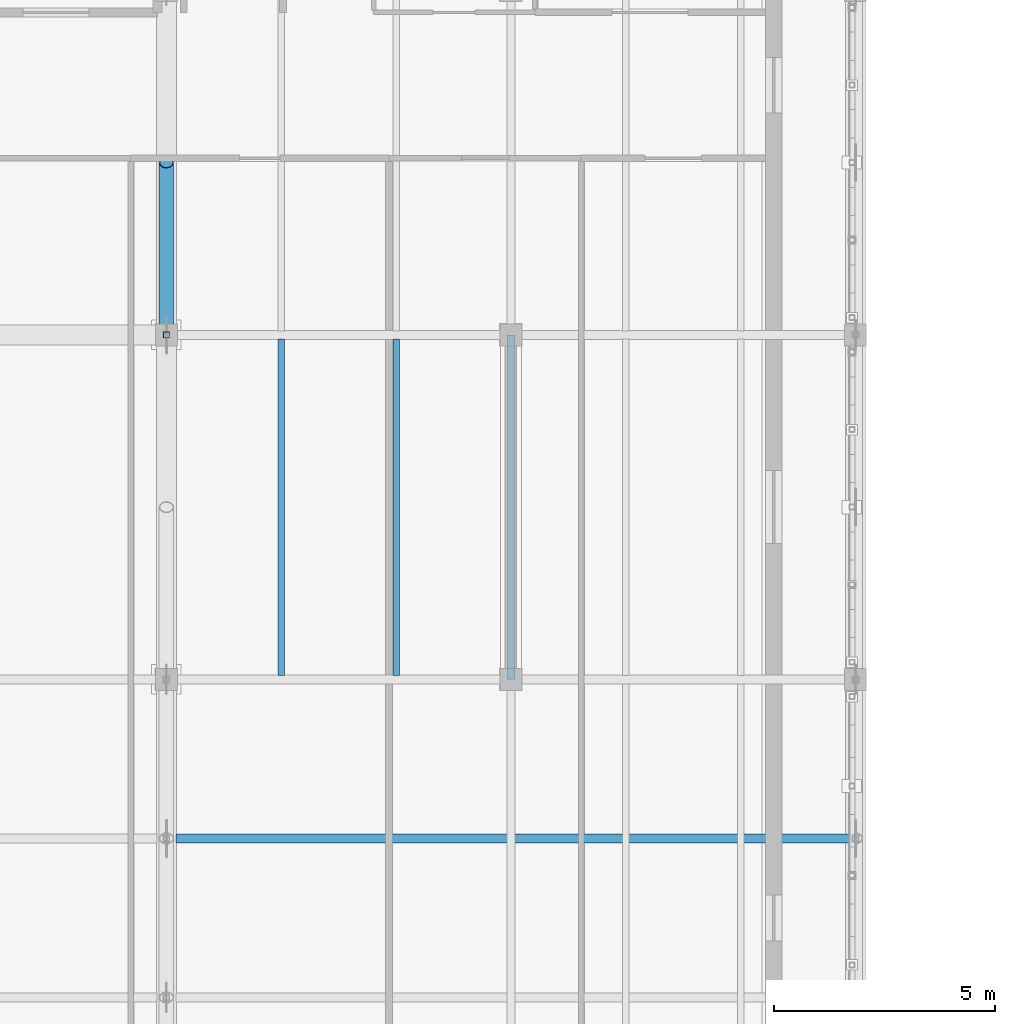
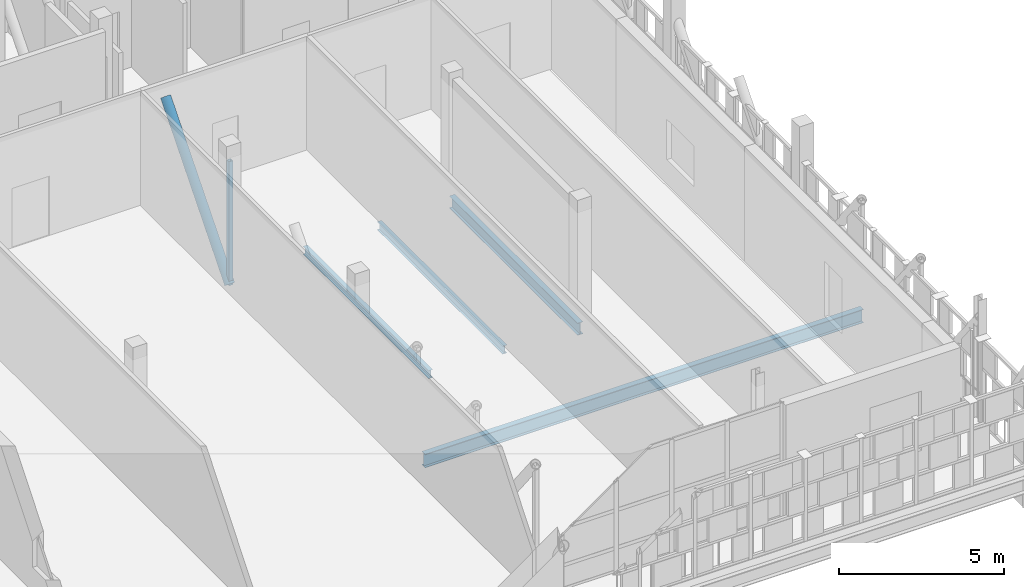
# One storey, part 28 of 89: 4 beams, 2 members.
"""IFC4 building model written with IfcOpenShell, lengths in metres."""

from ifc_helpers import new_model, si_unit, direction, frame, origin, origin_2d, place, context, subcontext, project, spatial, hollow_rectangle, hollow_circle, i_section, extrude, material, material_profile, profile_set, type_object, element, save


model = new_model("IFC4")

# Units and contexts
model_context = context("Model", 3, precision=1e-05, world=origin(), true_north=direction((0.0, 1.0)))
body_context = subcontext(model_context, "Body", "Model", "MODEL_VIEW")
ifc_project = project(units=[si_unit("LENGTHUNIT", "METRE"), si_unit("AREAUNIT", "SQUARE_METRE"), si_unit("VOLUMEUNIT", "CUBIC_METRE"), si_unit("PLANEANGLEUNIT", "RADIAN"), si_unit("MASSUNIT", "GRAM", prefix="KILO")], contexts=[model_context])

# Site, building, storey
site_placement = place(None, origin())
site = spatial("IfcSite", under=ifc_project, at=site_placement, CompositionType="ELEMENT")
building_placement = place(site_placement, origin())
building = spatial("IfcBuilding", under=site, at=building_placement, Name="Celorna Specialist Clinic", CompositionType="ELEMENT")
storey_placement = place(building_placement, frame((0.0, 0.0, 14.10009765625)))
storey = spatial("IfcBuildingStorey", under=building, at=storey_placement, Name="L03", CompositionType="ELEMENT", Elevation=14.10009765625)

# Beams
ifc_material = material(Name="Steel S355", Category="steel")
ifc_material_profile_1 = material_profile(ifc_material, i_section(OverallWidth=0.199951171875, OverallDepth=0.5, WebThickness=0.01025390625, FlangeThickness=0.01611328125, at=origin_2d()), Name="IPE 500")
ifc_profile_set_1 = profile_set([ifc_material_profile_1], Name="Steel S355")
beam_type_1 = type_object("IfcBeamType", Name="BM-08", PredefinedType="BEAM", material=ifc_profile_set_1)
beam_1_placement = place(storey_placement, frame((70.4150390625, 15.89990234375, -0.510009765625), z_axis=(1.0, 0.0, 0.0), x_axis=(0.0, 1.0, 0.0)))
element("IfcBeam", 1, at=beam_1_placement, inside=storey, type_object=beam_type_1, Name="Cantilever floor girder BM-08 #25", PredefinedType="BEAM", context=body_context, shape_type="SweptSolid", body=[
    extrude(i_section(OverallWidth=0.199951171875, OverallDepth=0.5, WebThickness=0.01025390625, FlangeThickness=0.01611328125, at=origin_2d()), origin(), (0.0, 0.0, 1.0), 15.385009765625),
])
ifc_material_profile_2 = material_profile(ifc_material, i_section(OverallWidth=0.18994140625, OverallDepth=0.449951171875, WebThickness=0.009521484375, FlangeThickness=0.0146484375, at=origin_2d()), Name="IPE 450")
ifc_profile_set_2 = profile_set([ifc_material_profile_2], Name="Steel S355")
beam_type_2 = type_object("IfcBeamType", Name="BM-09", PredefinedType="BEAM", material=ifc_profile_set_2)
beam_2_placement = place(storey_placement, frame((78.0, 19.5, -0.485107421875), z_axis=(0.0, 1.0, 0.0), x_axis=(-1.0, 0.0, 0.0)))
element("IfcBeam", 2, at=beam_2_placement, inside=storey, type_object=beam_type_2, Name="Transverse girder BM-09 #2177", PredefinedType="BEAM", context=body_context, shape_type="SweptSolid", body=[
    extrude(i_section(OverallWidth=0.18994140625, OverallDepth=0.449951171875, WebThickness=0.009521484375, FlangeThickness=0.0146484375, at=origin_2d()), origin(), (0.0, 0.0, 1.0), 7.800048828125),
])
ifc_material_profile_3 = material_profile(ifc_material, i_section(OverallWidth=0.14990234375, OverallDepth=0.300048828125, WebThickness=0.007080078125, FlangeThickness=0.0107421875, at=origin_2d()), Name="IPE 300")
ifc_profile_set_3 = profile_set([ifc_material_profile_3], Name="Steel S355")
beam_type_3 = type_object("IfcBeamType", Name="BM-13", PredefinedType="JOIST", material=ifc_profile_set_3)
for number, where, z_axis, x_axis, name in (
    (3, (72.800048828125, 19.587890625, -0.41015625), (0.0, 1.0, 0.0), (-1.0, 0.0, 0.0), "Secondary floor joist BM-13 #2186"),
    (4, (75.39990234375, 19.587890625, -0.41015625), (0.0, 1.0, 0.0), (-1.0, 0.0, 0.0), "Secondary floor joist BM-13 #2187"),
):
    element("IfcBeam", number, at=place(storey_placement, frame(where, z_axis=z_axis, x_axis=x_axis)), inside=storey, type_object=beam_type_3, Name=name, PredefinedType="JOIST", context=body_context, shape_type="SweptSolid", body=[
        extrude(i_section(OverallWidth=0.14990234375, OverallDepth=0.300048828125, WebThickness=0.007080078125, FlangeThickness=0.0107421875, at=origin_2d()), origin(), (0.0, 0.0, 1.0), 7.6240234375),
    ])

# Members
ifc_material_profile_4 = material_profile(ifc_material, hollow_circle(Radius=0.161865234375, WallThickness=0.01611328125, at=origin_2d()), Name="CHS 323.9x16")
ifc_profile_set_4 = profile_set([ifc_material_profile_4], Name="Steel S355")
member_type_1 = type_object("IfcMemberType", Name="MB-05", PredefinedType="BRACE", material=ifc_profile_set_4)
member_1_placement = place(storey_placement, frame((70.199951171875, 27.300048828125, -0.835205078125), z_axis=(0.0, 0.64666784298, 0.762771722638), x_axis=(-1.0, 0.0, 0.0)))
element("IfcMember", 5, at=member_1_placement, inside=storey, type_object=member_type_1, Name="Cantilever Pratt truss web diagonal WP-041-WP-063", PredefinedType="BRACE", context=body_context, shape_type="SweptSolid", body=[
    extrude(hollow_circle(Radius=0.161865234375, WallThickness=0.01611328125, at=origin_2d()), origin(), (0.0, 0.0, 1.0), 6.03076171875),
])
ifc_material_profile_5 = material_profile(ifc_material, hollow_rectangle(XDim=0.139892578125, YDim=0.139892578125, WallThickness=0.008056640625, at=origin_2d()), Name="SHS 140x140x8")
ifc_profile_set_5 = profile_set([ifc_material_profile_5], Name="Steel S355")
member_type_2 = type_object("IfcMemberType", Name="MB-10", PredefinedType="CHORD", material=ifc_profile_set_5)
member_2_placement = place(storey_placement, frame((70.199951171875, 27.300048828125, -0.835205078125), z_axis=(0.0, 0.0, 1.0), x_axis=(1.0, 0.0, 0.0)))
element("IfcMember", 6, at=member_2_placement, inside=storey, type_object=member_type_2, Name="Cantilever Pratt truss vertical post WP-041-WP-046", PredefinedType="CHORD", context=body_context, shape_type="SweptSolid", body=[
    extrude(hollow_rectangle(XDim=0.139892578125, YDim=0.139892578125, WallThickness=0.008056640625, at=origin_2d()), origin(), (0.0, 0.0, 1.0), 4.60009765625),
])

save(model, "model.ifc")
